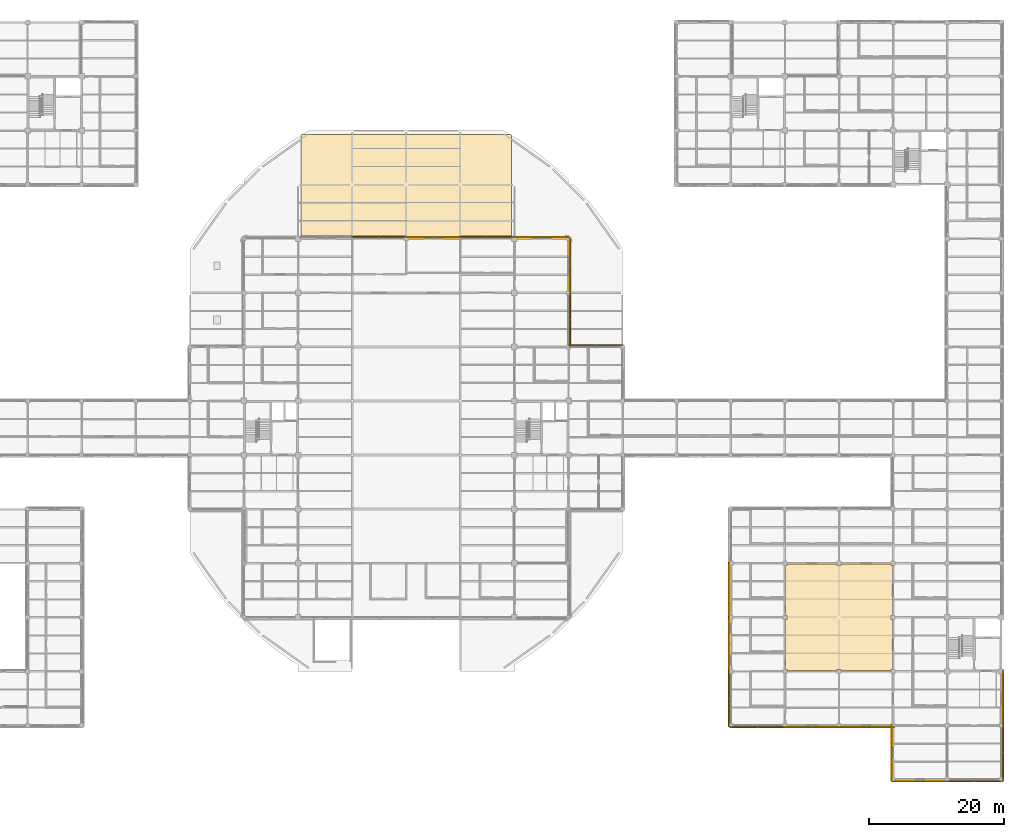
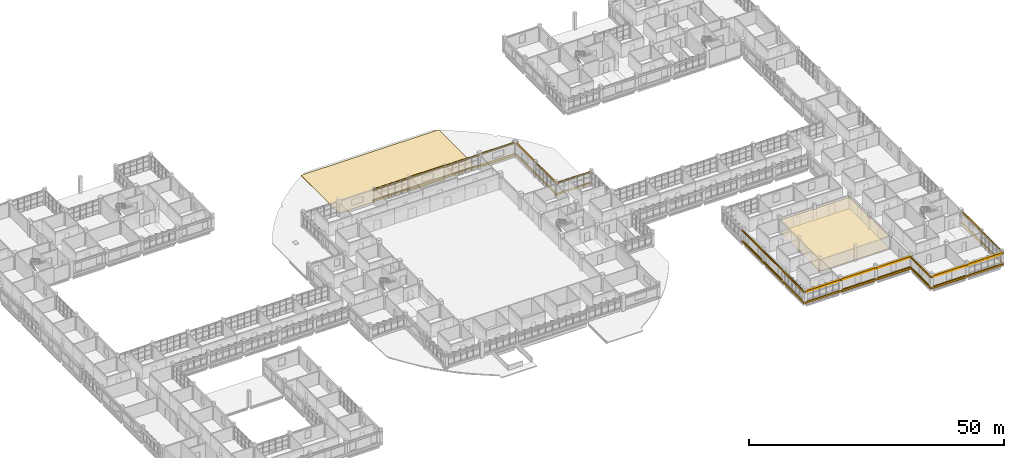
# One storey, part 120 of 126: 49 coverings, 19 shading devices, 1 element without a shape of its own.
"""IFC4 building model written with IfcOpenShell, lengths in metres."""

import ifcopenshell
import ifcopenshell.guid

model = None  # the IFC model being written
_history = None  # IfcOwnerHistory: only IFC2X3 demands one
_inside = {}  # id of a spatial element -> (the spatial element, [elements in it])
_under = {}  # id of a project, library or spatial element -> (it, [spatial elements below it])
_declared = {}  # id of a project -> (the project, [libraries it declares])
_typed = {}  # id of a type object -> (the type object, [elements of that type])
_made_of = {}  # id of a material, layer set ... -> (it, [elements and type objects made of it])


def new_model(schema):
    """Start an empty IFC model of exactly this schema.

    Asked for "IFC4X3", IfcOpenShell would pick the latest addendum, in which some entities
    have other attributes; the version numbers below select the first issue.
    IFC2X3 requires an IfcOwnerHistory on every rooted entity: one is made here for all.
    """
    global model, _history
    if schema == "IFC4X3":
        model = ifcopenshell.file(schema_version=(4, 3, 0, 0))
    else:
        model = ifcopenshell.file(schema=schema)
    _inside.clear()
    _under.clear()
    _declared.clear()
    _typed.clear()
    _made_of.clear()
    _history = None
    if model.schema == "IFC2X3":
        org = make("IfcOrganization", Name="unknown")
        user = make(
            "IfcPersonAndOrganization",
            ThePerson=make("IfcPerson", FamilyName="unknown"),
            TheOrganization=org,
        )
        app = make(
            "IfcApplication",
            ApplicationDeveloper=org,
            Version="unknown",
            ApplicationFullName="unknown",
            ApplicationIdentifier="unknown",
        )
        _history = make(
            "IfcOwnerHistory",
            OwningUser=user,
            OwningApplication=app,
            ChangeAction="ADDED",
            CreationDate=0,
        )
    return model


def make(cls, **values):
    """One entity of the class cls with the attributes given. An attribute that is None is left unset."""
    return model.create_entity(
        cls, **{name: value for name, value in values.items() if value is not None}
    )


def rooted(cls, **values):
    """An entity with a GlobalId (a new one), such as an element, a storey or a relation."""
    return make(cls, GlobalId=ifcopenshell.guid.new(), OwnerHistory=_history, **values)


def si_unit(unit_type, name, prefix=None):
    """IfcSIUnit, for example si_unit("LENGTHUNIT", "METRE", prefix="MILLI")."""
    return make("IfcSIUnit", UnitType=unit_type, Prefix=prefix, Name=name)


def derived_unit(unit_type, elements):
    """IfcDerivedUnit: a product of units, each with its exponent."""
    return make(
        "IfcDerivedUnit",
        Elements=[
            make("IfcDerivedUnitElement", Unit=unit, Exponent=power)
            for unit, power in elements
        ],
        UnitType=unit_type,
    )


def assignment(units):
    """IfcUnitAssignment: the units of a project."""
    return None if units is None else make("IfcUnitAssignment", Units=units)


def point(xyz):
    """IfcCartesianPoint."""
    return None if xyz is None else make("IfcCartesianPoint", Coordinates=xyz)


def direction(xyz):
    """IfcDirection."""
    return None if xyz is None else make("IfcDirection", DirectionRatios=xyz)


def frame(location, z_axis=None, x_axis=None):
    """IfcAxis2Placement3D, a coordinate frame: its origin and axes. An axis left out is left unset."""
    return make(
        "IfcAxis2Placement3D",
        Location=point(location),
        Axis=direction(z_axis),
        RefDirection=direction(x_axis),
    )


def frame_2d(location, x_axis=None):
    """IfcAxis2Placement2D, a coordinate frame in the plane: its origin and x axis."""
    return make(
        "IfcAxis2Placement2D", Location=point(location), RefDirection=direction(x_axis)
    )


def origin():
    """The frame at (0, 0, 0) with its axes left unset."""
    return frame((0.0, 0.0, 0.0))


def origin_2d():
    """The frame at (0, 0) in the plane with its x axis left unset."""
    return frame_2d((0.0, 0.0))


def place(relative_to, where):
    """IfcLocalPlacement: puts the frame where relative to a parent placement (None: the world)."""
    return make(
        "IfcLocalPlacement", PlacementRelTo=relative_to, RelativePlacement=where
    )


def context(
    kind, dimensions, precision=None, world=None, true_north=None, identifier=None
):
    """IfcGeometricRepresentationContext, for example the 3D "Model" context."""
    return make(
        "IfcGeometricRepresentationContext",
        ContextIdentifier=identifier,
        ContextType=kind,
        CoordinateSpaceDimension=dimensions,
        Precision=precision,
        WorldCoordinateSystem=world,
        TrueNorth=true_north,
    )


def subcontext(parent, identifier, kind, view, scale=None):
    """IfcGeometricRepresentationSubContext, for example "Body" below "Model"."""
    return make(
        "IfcGeometricRepresentationSubContext",
        ContextIdentifier=identifier,
        ContextType=kind,
        ParentContext=parent,
        TargetScale=scale,
        TargetView=view,
    )


def project(units=None, contexts=None):
    """IfcProject with its units and contexts."""
    return rooted(
        "IfcProject",
        Name="project",
        RepresentationContexts=contexts,
        UnitsInContext=assignment(units),
    )


def spatial(cls, under=None, at=None, **own):
    """A site, building, storey or space (cls), placed at a placement, below another one or the project."""
    s = rooted(cls, ObjectPlacement=at, **own)
    if under is not None:
        _under.setdefault(under.id(), (under, []))[1].append(s)
    return s


def polyline(points):
    """IfcPolyline through the points."""
    return make("IfcPolyline", Points=[point(p) for p in points])


def profile(cls, at=None, kind="AREA", **sizes):
    """A parametric profile (cls). Its sizes go by their IFC names, for example OverallWidth=200.0."""
    return make(cls, ProfileType=kind, Position=at, **sizes)


def rectangle(**sizes):
    """IfcRectangleProfileDef."""
    return profile("IfcRectangleProfileDef", **sizes)


def circle(**sizes):
    """IfcCircleProfileDef."""
    return profile("IfcCircleProfileDef", **sizes)


def outline(outer, holes=None, kind="AREA"):
    """IfcArbitraryClosedProfileDef: a profile drawn as a closed curve; with holes, ...WithVoids."""
    if holes is None:
        return make("IfcArbitraryClosedProfileDef", ProfileType=kind, OuterCurve=outer)
    return make(
        "IfcArbitraryProfileDefWithVoids",
        ProfileType=kind,
        OuterCurve=outer,
        InnerCurves=holes,
    )


def extrude(swept, where, along, depth):
    """IfcExtrudedAreaSolid: the profile swept, set in the frame where, extruded along a direction by depth."""
    return make(
        "IfcExtrudedAreaSolid",
        SweptArea=swept,
        Position=where,
        ExtrudedDirection=direction(along),
        Depth=depth,
    )


def shape(context_of_items, identifier, shape_type, items):
    """IfcShapeRepresentation: the items that make up one representation, for example the "Body"."""
    return make(
        "IfcShapeRepresentation",
        ContextOfItems=context_of_items,
        RepresentationIdentifier=identifier,
        RepresentationType=shape_type,
        Items=items,
    )


def material(Name=None, Category=None):
    """IfcMaterial."""
    return make("IfcMaterial", Name=Name, Category=Category)


def layer(
    of_material, thickness, ventilated=None, Name=None, Category=None, Priority=None
):
    """IfcMaterialLayer: one layer of a wall or slab, of a material (None: an air gap)."""
    return make(
        "IfcMaterialLayer",
        Material=of_material,
        LayerThickness=thickness,
        IsVentilated=ventilated,
        Name=Name,
        Category=Category,
        Priority=Priority,
    )


def layer_set(layers, Name=None):
    """IfcMaterialLayerSet."""
    return make("IfcMaterialLayerSet", MaterialLayers=layers, LayerSetName=Name)


def material_profile(
    of_material, cross_section, Name=None, Category=None, Priority=None
):
    """IfcMaterialProfile: a cross section and its material."""
    return make(
        "IfcMaterialProfile",
        Name=Name,
        Material=of_material,
        Profile=cross_section,
        Priority=Priority,
        Category=Category,
    )


def profile_set(profiles, Name=None, composite=None):
    """IfcMaterialProfileSet."""
    return make(
        "IfcMaterialProfileSet",
        Name=Name,
        MaterialProfiles=profiles,
        CompositeProfile=composite,
    )


def made_of(thing, what):
    """Note that an element or type object is made of a material, layer set ...; save() writes the relation."""
    if what is not None:
        _made_of.setdefault(what.id(), (what, []))[1].append(thing)
    return thing


def type_object(cls, material=None, **own):
    """A type object (cls), such as IfcWallType, which elements share."""
    return made_of(rooted(cls, **own), material)


def element(
    cls,
    number,
    at=None,
    inside=None,
    cuts=None,
    type_object=None,
    material=None,
    context=None,
    identifier="Body",
    shape_type=None,
    held_by="IfcProductDefinitionShape",
    body=None,
    shapes=None,
    **own,
):
    """One element of the class cls, such as IfcWall. Its Tag is "e" and its number.

    at: its placement. inside: the storey or other place that contains it. cuts: it is an
    opening in that element (IfcRelVoidsElement). A single representation is given by context,
    identifier, shape_type and body (its items); several are given by shapes. held_by: the class
    of the entity that holds the representations. save() writes the other relations.
    """
    e = rooted(cls, Tag="e%d" % number, ObjectPlacement=at, **own)
    if body is not None:
        shapes = [shape(context, identifier, shape_type, body)]
    if shapes is not None:
        e.Representation = make(held_by, Representations=shapes)
    if inside is not None:
        _inside.setdefault(inside.id(), (inside, []))[1].append(e)
    if cuts is not None:
        rooted(
            "IfcRelVoidsElement", RelatingBuildingElement=cuts, RelatedOpeningElement=e
        )
    if type_object is not None:
        _typed.setdefault(type_object.id(), (type_object, []))[1].append(e)
    return made_of(e, material)


def aggregate(whole, parts):
    """IfcRelAggregates: a whole, such as a stair, and the parts it consists of."""
    return rooted("IfcRelAggregates", RelatingObject=whole, RelatedObjects=parts)


def save(model, path):
    """Write the relations noted so far, then the file.

    IfcRelAggregates (storeys below a building ...), IfcRelContainedInSpatialStructure (elements
    in a storey), IfcRelDefinesByType, IfcRelAssociatesMaterial and IfcRelDeclares: one each for
    every whole, place, type object, material and project.
    """
    for whole, parts in _under.values():
        aggregate(whole, parts)
    for where, things in _inside.values():
        rooted(
            "IfcRelContainedInSpatialStructure",
            RelatedElements=things,
            RelatingStructure=where,
        )
    for kind, things in _typed.values():
        rooted("IfcRelDefinesByType", RelatedObjects=things, RelatingType=kind)
    for what, things in _made_of.values():
        rooted("IfcRelAssociatesMaterial", RelatedObjects=things, RelatingMaterial=what)
    for by, libraries in _declared.values():
        rooted("IfcRelDeclares", RelatingContext=by, RelatedDefinitions=libraries)
    model.write(path)


model = new_model("IFC4")

# Units and contexts
model_context = context("Model", 3, precision=1e-05, world=origin(), true_north=direction((0.0, 1.0)))
body_context = subcontext(model_context, "Body", "Model", "MODEL_VIEW")
ifc_project = project(units=[si_unit("LENGTHUNIT", "METRE"), si_unit("AREAUNIT", "SQUARE_METRE"), si_unit("VOLUMEUNIT", "CUBIC_METRE"), si_unit("PLANEANGLEUNIT", "RADIAN"), si_unit("MASSUNIT", "GRAM", prefix="KILO"), derived_unit("THERMALTRANSMITTANCEUNIT", [(si_unit("MASSUNIT", "GRAM", prefix="KILO"), 1), (si_unit("TIMEUNIT", "SECOND"), -3), (si_unit("THERMODYNAMICTEMPERATUREUNIT", "KELVIN"), -1)])], contexts=[model_context])

# Site, building, storey
site_placement = place(None, origin())
site = spatial("IfcSite", under=ifc_project, at=site_placement, CompositionType="ELEMENT")
building_placement = place(site_placement, origin())
building = spatial("IfcBuilding", under=site, at=building_placement, Name="Veyamyaing Civic Hall", CompositionType="ELEMENT")
storey_placement = place(building_placement, frame((0.0, 0.0, 9.89990234375)))
storey = spatial("IfcBuildingStorey", under=building, at=storey_placement, Name="L02", CompositionType="ELEMENT", Elevation=9.89990234375)

# Coverings
ifc_material_1 = material(Name="Buff sandstone ashlar cladding", Category="masonry")
ifc_layer_1 = layer(ifc_material_1, 0.050048828125, Name="Buff sandstone ashlar cladding")
ifc_layer_set_1 = layer_set([ifc_layer_1], Name="Buff sandstone ashlar cladding")
covering_type_1 = type_object("IfcCoveringType", Name="CL-01", PredefinedType="CLADDING", material=ifc_layer_set_1)
for number, where, z_axis, x_axis, name in (
    (1, (135.843994140625, 20.0, 0.045166015625), (0.0, 0.0, 1.0), (0.0, 1.0, 0.0), "Facade spandrel cladding CL-01 L02 W 18.3"),
    (2, (148.0, 7.843994140625, 0.045166015625), (0.0, 0.0, 1.0), (1.0, 0.0, 0.0), "Facade spandrel cladding CL-01 L02 S 19.2"),
):
    element("IfcCovering", number, at=place(storey_placement, frame(where, z_axis=z_axis, x_axis=x_axis)), inside=storey, type_object=covering_type_1, Name=name, PredefinedType="CLADDING", context=body_context, shape_type="SweptSolid", body=[
        extrude(rectangle(XDim=7.35009765625, YDim=0.050048828125, at=origin_2d()), origin(), (0.0, 0.0, 1.0), 0.75),
    ])
ifc_material_2 = material(Name="Turquoise glazed ceramic tile cladding", Category="masonry")
ifc_layer_2 = layer(ifc_material_2, 0.034912109375, Name="Turquoise glazed ceramic tile cladding")
ifc_layer_set_2 = layer_set([ifc_layer_2], Name="Turquoise glazed ceramic tile cladding")
covering_type_2 = type_object("IfcCoveringType", Name="CL-02", PredefinedType="CLADDING", material=ifc_layer_set_2)
covering_1_placement = place(storey_placement, frame((92.05712890625, 80.166015625, 0.045166015625), z_axis=(0.0, 0.0, 1.0), x_axis=(1.0, 0.0, 0.0)))
element("IfcCovering", 3, at=covering_1_placement, inside=storey, type_object=covering_type_2, Name="Facade spandrel cladding CL-02 L02 N 12.10", PredefinedType="CLADDING", context=body_context, shape_type="SweptSolid", body=[
    extrude(rectangle(XDim=7.464599609375, YDim=0.034912109375, at=origin_2d()), origin(), (0.0, 0.0, 1.0), 0.75),
])
covering_2_placement = place(storey_placement, frame((108.050048828125, 80.166015625, 0.045166015625), z_axis=(0.0, 0.0, 1.0), x_axis=(1.0, 0.0, 0.0)))
element("IfcCovering", 4, at=covering_2_placement, inside=storey, type_object=covering_type_2, Name="Facade spandrel cladding CL-02 L02 N 14.10", PredefinedType="CLADDING", context=body_context, shape_type="SweptSolid", body=[
    extrude(rectangle(XDim=7.25, YDim=0.034912109375, at=origin_2d()), origin(), (0.0, 0.0, 1.0), 0.75),
])
for number, where, z_axis, x_axis, name in (
    (5, (112.166015625, 76.0, 0.045166015625), (0.0, 0.0, 1.0), (0.0, 1.0, 0.0), "Facade spandrel cladding CL-02 L02 E 14.10"),
    (6, (135.8515625, 28.0, 0.045166015625), (0.0, 0.0, 1.0), (0.0, 1.0, 0.0), "Facade spandrel cladding CL-02 L02 W 18.4"),
    (7, (156.0, 7.8515625, 0.045166015625), (0.0, 0.0, 1.0), (1.0, 0.0, 0.0), "Facade spandrel cladding CL-02 L02 S 20.2"),
    (8, (164.0, -0.1484375, 0.045166015625), (0.0, 0.0, 1.0), (1.0, 0.0, 0.0), "Facade spandrel cladding CL-02 L02 S 21.1"),
    (9, (159.8515625, 4.0, 0.045166015625), (0.0, 0.0, 1.0), (0.0, 1.0, 0.0), "Facade spandrel cladding CL-02 L02 W 21.1"),
):
    element("IfcCovering", number, at=place(storey_placement, frame(where, z_axis=z_axis, x_axis=x_axis)), inside=storey, type_object=covering_type_2, Name=name, PredefinedType="CLADDING", context=body_context, shape_type="SweptSolid", body=[
        extrude(rectangle(XDim=7.35009765625, YDim=0.034912109375, at=origin_2d()), origin(), (0.0, 0.0, 1.0), 0.75),
    ])
covering_3_placement = place(storey_placement, frame((176.1484375, 11.949951171875, 0.045166015625), z_axis=(0.0, 0.0, 1.0), x_axis=(0.0, 1.0, 0.0)))
element("IfcCovering", 10, at=covering_3_placement, inside=storey, type_object=covering_type_2, Name="Facade spandrel cladding CL-02 L02 E 22.2", PredefinedType="CLADDING", context=body_context, shape_type="SweptSolid", body=[
    extrude(rectangle(XDim=7.25, YDim=0.034912109375, at=origin_2d()), origin(), (0.0, 0.0, 1.0), 0.75),
])
ifc_material_3 = material(Name="White powder-coated aluminium 6063-T6", Category="aluminium")
ifc_layer_3 = layer(ifc_material_3, 0.2099609375, Name="White powder-coated aluminium 6063-T6")
ifc_layer_set_3 = layer_set([ifc_layer_3], Name="White powder-coated aluminium 6063-T6")
covering_type_3 = type_object("IfcCoveringType", Name="CL-03", PredefinedType="CLADDING", material=ifc_layer_set_3)
for number, where, z_axis, x_axis, name in (
    (11, (84.0, 80.239990234375, 2.904052734375), (0.0, 0.0, 1.0), (1.0, 0.0, 0.0), "Continuous white head fascia ribbon CL-03 L02 N 11.10"),
    (12, (84.0, 80.239990234375, 0.280029296875), (0.0, 0.0, 1.0), (1.0, 0.0, 0.0), "Continuous white sill fascia ribbon CL-03 L02 N 11.10"),
    (13, (92.0, 80.239990234375, 2.967041015625), (0.0, 0.0, 1.0), (1.0, 0.0, 0.0), "Continuous white head fascia ribbon CL-03 L02 N 12.10"),
    (14, (92.0, 80.239990234375, 0.280029296875), (0.0, 0.0, 1.0), (1.0, 0.0, 0.0), "Continuous white sill fascia ribbon CL-03 L02 N 12.10"),
    (15, (100.0, 80.239990234375, 2.900146484375), (0.0, 0.0, 1.0), (1.0, 0.0, 0.0), "Continuous white head fascia ribbon CL-03 L02 N 13.10"),
    (16, (100.0, 80.239990234375, 0.280029296875), (0.0, 0.0, 1.0), (1.0, 0.0, 0.0), "Continuous white sill fascia ribbon CL-03 L02 N 13.10"),
    (17, (112.239990234375, 68.0, 2.900146484375), (0.0, 0.0, 1.0), (0.0, 1.0, 0.0), "Continuous white head fascia ribbon CL-03 L02 E 14.9"),
    (18, (112.239990234375, 68.0, 0.280029296875), (0.0, 0.0, 1.0), (0.0, 1.0, 0.0), "Continuous white sill fascia ribbon CL-03 L02 E 14.9"),
    (19, (108.0, 80.239990234375, 2.964111328125), (0.0, 0.0, 1.0), (1.0, 0.0, 0.0), "Continuous white head fascia ribbon CL-03 L02 N 14.10"),
    (20, (108.0, 80.239990234375, 0.280029296875), (0.0, 0.0, 1.0), (1.0, 0.0, 0.0), "Continuous white sill fascia ribbon CL-03 L02 N 14.10"),
    (21, (112.239990234375, 76.0, 2.964111328125), (0.0, 0.0, 1.0), (0.0, 1.0, 0.0), "Continuous white head fascia ribbon CL-03 L02 E 14.10"),
    (22, (112.239990234375, 76.0, 0.280029296875), (0.0, 0.0, 1.0), (0.0, 1.0, 0.0), "Continuous white sill fascia ribbon CL-03 L02 E 14.10"),
    (23, (116.0, 64.239990234375, 2.900146484375), (0.0, 0.0, 1.0), (1.0, 0.0, 0.0), "Continuous white head fascia ribbon CL-03 L02 N 15.8"),
    (24, (116.0, 64.239990234375, 0.280029296875), (0.0, 0.0, 1.0), (1.0, 0.0, 0.0), "Continuous white sill fascia ribbon CL-03 L02 N 15.8"),
):
    element("IfcCovering", number, at=place(storey_placement, frame(where, z_axis=z_axis, x_axis=x_axis)), inside=storey, type_object=covering_type_3, Name=name, PredefinedType="CLADDING", context=body_context, shape_type="SweptSolid", body=[
        extrude(rectangle(XDim=8.1201171875, YDim=0.2099609375, at=origin_2d()), origin(), (0.0, 0.0, 1.0), 0.39990234375),
    ])
for number, where, z_axis, x_axis, name in (
    (25, (140.0, 7.760009765625, 2.900146484375), (0.0, 0.0, 1.0), (1.0, 0.0, 0.0), "Continuous white head fascia ribbon CL-03 L02 S 18.2"),
    (26, (140.0, 7.760009765625, 0.280029296875), (0.0, 0.0, 1.0), (1.0, 0.0, 0.0), "Continuous white sill fascia ribbon CL-03 L02 S 18.2"),
    (27, (135.760009765625, 12.0, 2.900146484375), (0.0, 0.0, 1.0), (0.0, 1.0, 0.0), "Continuous white head fascia ribbon CL-03 L02 W 18.2"),
    (28, (135.760009765625, 12.0, 0.280029296875), (0.0, 0.0, 1.0), (0.0, 1.0, 0.0), "Continuous white sill fascia ribbon CL-03 L02 W 18.2"),
    (29, (135.760009765625, 20.0, 2.964111328125), (0.0, 0.0, 1.0), (0.0, 1.0, 0.0), "Continuous white head fascia ribbon CL-03 L02 W 18.3"),
    (30, (135.760009765625, 20.0, 0.280029296875), (0.0, 0.0, 1.0), (0.0, 1.0, 0.0), "Continuous white sill fascia ribbon CL-03 L02 W 18.3"),
    (31, (135.760009765625, 28.0, 2.904052734375), (0.0, 0.0, 1.0), (0.0, 1.0, 0.0), "Continuous white head fascia ribbon CL-03 L02 W 18.4"),
    (32, (135.760009765625, 28.0, 0.280029296875), (0.0, 0.0, 1.0), (0.0, 1.0, 0.0), "Continuous white sill fascia ribbon CL-03 L02 W 18.4"),
    (33, (148.0, 7.760009765625, 2.964111328125), (0.0, 0.0, 1.0), (1.0, 0.0, 0.0), "Continuous white head fascia ribbon CL-03 L02 S 19.2"),
    (34, (148.0, 7.760009765625, 0.280029296875), (0.0, 0.0, 1.0), (1.0, 0.0, 0.0), "Continuous white sill fascia ribbon CL-03 L02 S 19.2"),
    (35, (156.0, 7.760009765625, 2.904052734375), (0.0, 0.0, 1.0), (1.0, 0.0, 0.0), "Continuous white head fascia ribbon CL-03 L02 S 20.2"),
    (36, (156.0, 7.760009765625, 0.280029296875), (0.0, 0.0, 1.0), (1.0, 0.0, 0.0), "Continuous white sill fascia ribbon CL-03 L02 S 20.2"),
    (37, (164.0, -0.239990234375, 2.904052734375), (0.0, 0.0, 1.0), (1.0, 0.0, 0.0), "Continuous white head fascia ribbon CL-03 L02 S 21.1"),
    (38, (164.0, -0.239990234375, 0.280029296875), (0.0, 0.0, 1.0), (1.0, 0.0, 0.0), "Continuous white sill fascia ribbon CL-03 L02 S 21.1"),
    (39, (159.760009765625, 4.0, 2.904052734375), (0.0, 0.0, 1.0), (0.0, 1.0, 0.0), "Continuous white head fascia ribbon CL-03 L02 W 21.1"),
    (40, (159.760009765625, 4.0, 0.280029296875), (0.0, 0.0, 1.0), (0.0, 1.0, 0.0), "Continuous white sill fascia ribbon CL-03 L02 W 21.1"),
    (41, (172.0, -0.239990234375, 2.967041015625), (0.0, 0.0, 1.0), (1.0, 0.0, 0.0), "Continuous white head fascia ribbon CL-03 L02 S 22.1"),
    (42, (172.0, -0.239990234375, 0.280029296875), (0.0, 0.0, 1.0), (1.0, 0.0, 0.0), "Continuous white sill fascia ribbon CL-03 L02 S 22.1"),
    (43, (176.239990234375, 4.0, 2.900146484375), (0.0, 0.0, 1.0), (0.0, 1.0, 0.0), "Continuous white head fascia ribbon CL-03 L02 E 22.1"),
    (44, (176.239990234375, 4.0, 0.280029296875), (0.0, 0.0, 1.0), (0.0, 1.0, 0.0), "Continuous white sill fascia ribbon CL-03 L02 E 22.1"),
    (45, (176.239990234375, 12.0, 2.964111328125), (0.0, 0.0, 1.0), (0.0, 1.0, 0.0), "Continuous white head fascia ribbon CL-03 L02 E 22.2"),
    (46, (176.239990234375, 12.0, 0.280029296875), (0.0, 0.0, 1.0), (0.0, 1.0, 0.0), "Continuous white sill fascia ribbon CL-03 L02 E 22.2"),
):
    element("IfcCovering", number, at=place(storey_placement, frame(where, z_axis=z_axis, x_axis=x_axis)), inside=storey, type_object=covering_type_3, Name=name, PredefinedType="CLADDING", context=body_context, shape_type="SweptSolid", body=[
        extrude(rectangle(XDim=8.360107421875, YDim=0.2099609375, at=origin_2d()), origin(), (0.0, 0.0, 1.0), 0.39990234375),
    ])
ifc_material_4 = material(Name="Perforated acoustic gypsum ceiling board")
ifc_layer_4 = layer(ifc_material_4, 0.02490234375, Name="Perforated acoustic gypsum ceiling board")
ifc_layer_set_4 = layer_set([ifc_layer_4], Name="Perforated acoustic gypsum ceiling board")
covering_type_4 = type_object("IfcCoveringType", Name="CLG-01", PredefinedType="CEILING", material=ifc_layer_set_4)
covering_4_placement = place(storey_placement, frame((0.0, 0.0, 2.7001953125)))
element("IfcCovering", 47, at=covering_4_placement, inside=storey, type_object=covering_type_4, Name="Acoustic suspended ceiling CLG-01 L02-H02", PredefinedType="CEILING", context=body_context, shape_type="SweptSolid", body=[
    extrude(outline(polyline([(159.715087890625, 23.715087890625), (159.905029296875, 23.715087890625), (159.905029296875, 16.284912109375), (159.715087890625, 16.284912109375), (159.715087890625, 16.094970703125), (152.284912109375, 16.094970703125), (152.284912109375, 16.284912109375), (151.715087890625, 16.284912109375), (151.715087890625, 16.094970703125), (144.284912109375, 16.094970703125), (144.284912109375, 16.284912109375), (144.094970703125, 16.284912109375), (144.094970703125, 23.715087890625), (144.284912109375, 23.715087890625), (144.284912109375, 24.284912109375), (144.094970703125, 24.284912109375), (144.094970703125, 31.715087890625), (144.284912109375, 31.715087890625), (144.284912109375, 31.905029296875), (151.715087890625, 31.905029296875), (151.715087890625, 31.715087890625), (152.284912109375, 31.715087890625), (152.284912109375, 31.905029296875), (159.715087890625, 31.905029296875), (159.715087890625, 31.715087890625), (159.905029296875, 31.715087890625), (159.905029296875, 24.284912109375), (159.715087890625, 24.284912109375), (159.715087890625, 23.715087890625)])), origin(), (0.0, 0.0, 1.0), 0.02490234375),
])
ifc_material_5 = material(Name="Polished Mandalay marble and terrazzo flooring", Category="masonry")
ifc_layer_5 = layer(ifc_material_5, 0.030029296875, Name="Polished Mandalay marble and terrazzo flooring")
ifc_layer_set_5 = layer_set([ifc_layer_5], Name="Polished Mandalay marble and terrazzo flooring")
covering_type_5 = type_object("IfcCoveringType", Name="FLR-01", PredefinedType="FLOORING", material=ifc_layer_set_5)
covering_5_placement = place(storey_placement, origin())
element("IfcCovering", 48, at=covering_5_placement, inside=storey, type_object=covering_type_5, Name="Stone and terrazzo flooring FLR-01 L02-H02", PredefinedType="FLOORING", context=body_context, shape_type="SweptSolid", body=[
    extrude(outline(polyline([(159.68994140625, 23.68994140625), (159.8798828125, 23.68994140625), (159.8798828125, 16.31005859375), (159.68994140625, 16.31005859375), (159.68994140625, 16.1201171875), (152.31005859375, 16.1201171875), (152.31005859375, 16.31005859375), (151.68994140625, 16.31005859375), (151.68994140625, 16.1201171875), (144.31005859375, 16.1201171875), (144.31005859375, 16.31005859375), (144.1201171875, 16.31005859375), (144.1201171875, 23.68994140625), (144.31005859375, 23.68994140625), (144.31005859375, 24.31005859375), (144.1201171875, 24.31005859375), (144.1201171875, 31.68994140625), (144.31005859375, 31.68994140625), (144.31005859375, 31.8798828125), (151.68994140625, 31.8798828125), (151.68994140625, 31.68994140625), (152.31005859375, 31.68994140625), (152.31005859375, 31.8798828125), (159.68994140625, 31.8798828125), (159.68994140625, 31.68994140625), (159.8798828125, 31.68994140625), (159.8798828125, 24.31005859375), (159.68994140625, 24.31005859375), (159.68994140625, 23.68994140625)])), origin(), (0.0, 0.0, 1.0), 0.030029296875),
])

# Shading device
ifc_material_6 = material(Name="Anodised aluminium 6063-T6", Category="aluminium")
ifc_material_profile_1 = material_profile(ifc_material_6, rectangle(XDim=0.044921875, YDim=0.199951171875, at=origin_2d()), Name="LOUVRE-BLADE-45X200")
ifc_profile_set_1 = profile_set([ifc_material_profile_1], Name="Anodised aluminium 6063-T6")
shading_device_type_1 = type_object("IfcShadingDeviceType", Name="LV-02", PredefinedType="JALOUSIE", material=ifc_profile_set_1)
shading_device_1_placement = place(storey_placement, frame((176.219970703125, 8.284912109375, 2.794189453125), z_axis=(0.0, 1.0, 0.0), x_axis=(-1.0, 0.0, 0.0)))
element("IfcShadingDevice", 49, at=shading_device_1_placement, inside=storey, type_object=shading_device_type_1, Name="Monsoon solar louvre LV-02 L02 E 22.2", PredefinedType="JALOUSIE", context=body_context, shape_type="SweptSolid", body=[
    extrude(rectangle(XDim=0.044921875, YDim=0.199951171875, at=origin_2d()), origin(), (0.0, 0.0, 1.0), 7.330078125),
])

# Roof, covering
ifc_material_7 = material(Name="Concrete C40/50", Category="concrete")
roof_type = type_object("IfcRoofType", Name="RF-FLAT", PredefinedType="FLAT_ROOF", material=ifc_material_7)
roof_placement = place(storey_placement, origin())
roof = element("IfcRoof", 50, at=roof_placement, inside=storey, type_object=roof_type, Name="Central Podium Ring Curved Flat Roof Assembly", PredefinedType="FLAT_ROOF")
ifc_material_8 = material(Name="Cool-roof insulated membrane waterproofing")
ifc_layer_6 = layer(ifc_material_8, 0.080078125, Name="Cool-roof insulated membrane waterproofing")
ifc_layer_set_6 = layer_set([ifc_layer_6], Name="Cool-roof insulated membrane waterproofing")
covering_type_6 = type_object("IfcCoveringType", Name="RM-01", PredefinedType="ROOFING", material=ifc_layer_set_6)
covering_6_placement = place(storey_placement, origin())
covering_6 = element("IfcCovering", 51, at=covering_6_placement, type_object=covering_type_6, Name="Insulated cool-roof membrane RM-01 L02", PredefinedType="ROOFING", context=body_context, shape_type="SweptSolid", body=[
    extrude(outline(polyline([(72.39990234375, 80.39990234375), (103.60009765625, 80.39990234375), (103.60009765625, 95.39990234375), (72.39990234375, 95.39990234375), (72.39990234375, 80.39990234375)])), origin(), (0.0, 0.0, 1.0), 0.080078125),
])
aggregate(roof, [covering_6])

# Shading devices
ifc_material_profile_2 = material_profile(ifc_material_3, circle(Radius=0.110107421875, at=origin_2d()), Name="SHADE-TUBE-220")
ifc_profile_set_2 = profile_set([ifc_material_profile_2], Name="White powder-coated aluminium 6063-T6")
shading_device_type_2 = type_object("IfcShadingDeviceType", Name="SH-01", PredefinedType="USERDEFINED", material=ifc_profile_set_2)
for number, where, z_axis, x_axis, name in (
    (52, (80.17041015625, 80.239990234375, 3.064208984375), (1.0, 0.0, 0.0), (0.0, 1.0, 0.0), "Horizontal white sunshade ribbon SH-01 L02 N 11.10"),
    (53, (88.284912109375, 80.239990234375, 3.127197265625), (1.0, 0.0, 0.0), (0.0, 1.0, 0.0), "Horizontal white sunshade ribbon SH-01 L02 N 12.10"),
):
    element("IfcShadingDevice", number, at=place(storey_placement, frame(where, z_axis=z_axis, x_axis=x_axis)), inside=storey, type_object=shading_device_type_2, Name=name, ObjectType="SUNSHADE", PredefinedType="USERDEFINED", context=body_context, shape_type="SweptSolid", body=[
        extrude(circle(Radius=0.110107421875, at=origin_2d()), origin(), (0.0, 0.0, 1.0), 7.544677734375),
    ])
shading_device_2_placement = place(storey_placement, frame((96.17041015625, 80.239990234375, 3.06005859375), z_axis=(1.0, 0.0, 0.0), x_axis=(0.0, 1.0, 0.0)))
element("IfcShadingDevice", 54, at=shading_device_2_placement, inside=storey, type_object=shading_device_type_2, Name="Horizontal white sunshade ribbon SH-01 L02 N 13.10", ObjectType="SUNSHADE", PredefinedType="USERDEFINED", context=body_context, shape_type="SweptSolid", body=[
    extrude(circle(Radius=0.110107421875, at=origin_2d()), origin(), (0.0, 0.0, 1.0), 7.444580078125),
])
shading_device_3_placement = place(storey_placement, frame((112.239990234375, 64.284912109375, 3.06005859375), z_axis=(0.0, 1.0, 0.0), x_axis=(-1.0, 0.0, 0.0)))
element("IfcShadingDevice", 55, at=shading_device_3_placement, inside=storey, type_object=shading_device_type_2, Name="Horizontal white sunshade ribbon SH-01 L02 E 14.9", ObjectType="SUNSHADE", PredefinedType="USERDEFINED", context=body_context, shape_type="SweptSolid", body=[
    extrude(circle(Radius=0.110107421875, at=origin_2d()), origin(), (0.0, 0.0, 1.0), 7.43017578125),
])
shading_device_4_placement = place(storey_placement, frame((104.385009765625, 80.239990234375, 3.1240234375), z_axis=(1.0, 0.0, 0.0), x_axis=(0.0, 1.0, 0.0)))
element("IfcShadingDevice", 56, at=shading_device_4_placement, inside=storey, type_object=shading_device_type_2, Name="Horizontal white sunshade ribbon SH-01 L02 N 14.10", ObjectType="SUNSHADE", PredefinedType="USERDEFINED", context=body_context, shape_type="SweptSolid", body=[
    extrude(circle(Radius=0.110107421875, at=origin_2d()), origin(), (0.0, 0.0, 1.0), 7.330078125),
])
for number, where, z_axis, x_axis, name in (
    (57, (112.239990234375, 72.284912109375, 3.1240234375), (0.0, 1.0, 0.0), (-1.0, 0.0, 0.0), "Horizontal white sunshade ribbon SH-01 L02 E 14.10"),
    (58, (112.284912109375, 64.239990234375, 3.06005859375), (1.0, 0.0, 0.0), (0.0, 1.0, 0.0), "Horizontal white sunshade ribbon SH-01 L02 N 15.8"),
):
    element("IfcShadingDevice", number, at=place(storey_placement, frame(where, z_axis=z_axis, x_axis=x_axis)), inside=storey, type_object=shading_device_type_2, Name=name, ObjectType="SUNSHADE", PredefinedType="USERDEFINED", context=body_context, shape_type="SweptSolid", body=[
        extrude(circle(Radius=0.110107421875, at=origin_2d()), origin(), (0.0, 0.0, 1.0), 7.43017578125),
    ])
ifc_material_profile_3 = material_profile(ifc_material_3, circle(Radius=0.090087890625, at=origin_2d()), Name="SHADE-TUBE-180")
ifc_profile_set_3 = profile_set([ifc_material_profile_3], Name="White powder-coated aluminium 6063-T6")
shading_device_type_3 = type_object("IfcShadingDeviceType", Name="SH-02", PredefinedType="USERDEFINED", material=ifc_profile_set_3)
for number, where, z_axis, x_axis, name in (
    (59, (136.284912109375, 7.760009765625, 3.06005859375), (1.0, 0.0, 0.0), (0.0, 1.0, 0.0), "Horizontal white sunshade ribbon SH-02 L02 S 18.2"),
    (60, (135.760009765625, 8.284912109375, 3.06005859375), (0.0, 1.0, 0.0), (-1.0, 0.0, 0.0), "Horizontal white sunshade ribbon SH-02 L02 W 18.2"),
    (61, (135.760009765625, 16.284912109375, 3.1240234375), (0.0, 1.0, 0.0), (-1.0, 0.0, 0.0), "Horizontal white sunshade ribbon SH-02 L02 W 18.3"),
    (62, (135.760009765625, 24.284912109375, 3.064208984375), (0.0, 1.0, 0.0), (-1.0, 0.0, 0.0), "Horizontal white sunshade ribbon SH-02 L02 W 18.4"),
    (63, (144.284912109375, 7.760009765625, 3.1240234375), (1.0, 0.0, 0.0), (0.0, 1.0, 0.0), "Horizontal white sunshade ribbon SH-02 L02 S 19.2"),
    (64, (152.284912109375, 7.760009765625, 3.064208984375), (1.0, 0.0, 0.0), (0.0, 1.0, 0.0), "Horizontal white sunshade ribbon SH-02 L02 S 20.2"),
    (65, (160.284912109375, -0.239990234375, 3.064208984375), (1.0, 0.0, 0.0), (0.0, 1.0, 0.0), "Horizontal white sunshade ribbon SH-02 L02 S 21.1"),
    (66, (159.760009765625, 0.284912109375, 3.064208984375), (0.0, 1.0, 0.0), (-1.0, 0.0, 0.0), "Horizontal white sunshade ribbon SH-02 L02 W 21.1"),
    (67, (168.284912109375, -0.239990234375, 3.127197265625), (1.0, 0.0, 0.0), (0.0, 1.0, 0.0), "Horizontal white sunshade ribbon SH-02 L02 S 22.1"),
    (68, (176.239990234375, 0.284912109375, 3.06005859375), (0.0, 1.0, 0.0), (-1.0, 0.0, 0.0), "Horizontal white sunshade ribbon SH-02 L02 E 22.1"),
):
    element("IfcShadingDevice", number, at=place(storey_placement, frame(where, z_axis=z_axis, x_axis=x_axis)), inside=storey, type_object=shading_device_type_3, Name=name, ObjectType="SUNSHADE", PredefinedType="USERDEFINED", context=body_context, shape_type="SweptSolid", body=[
        extrude(circle(Radius=0.090087890625, at=origin_2d()), origin(), (0.0, 0.0, 1.0), 7.43017578125),
    ])
shading_device_5_placement = place(storey_placement, frame((176.239990234375, 8.284912109375, 3.1240234375), z_axis=(0.0, 1.0, 0.0), x_axis=(-1.0, 0.0, 0.0)))
element("IfcShadingDevice", 69, at=shading_device_5_placement, inside=storey, type_object=shading_device_type_3, Name="Horizontal white sunshade ribbon SH-02 L02 E 22.2", ObjectType="SUNSHADE", PredefinedType="USERDEFINED", context=body_context, shape_type="SweptSolid", body=[
    extrude(circle(Radius=0.090087890625, at=origin_2d()), origin(), (0.0, 0.0, 1.0), 7.330078125),
])

save(model, "model.ifc")
